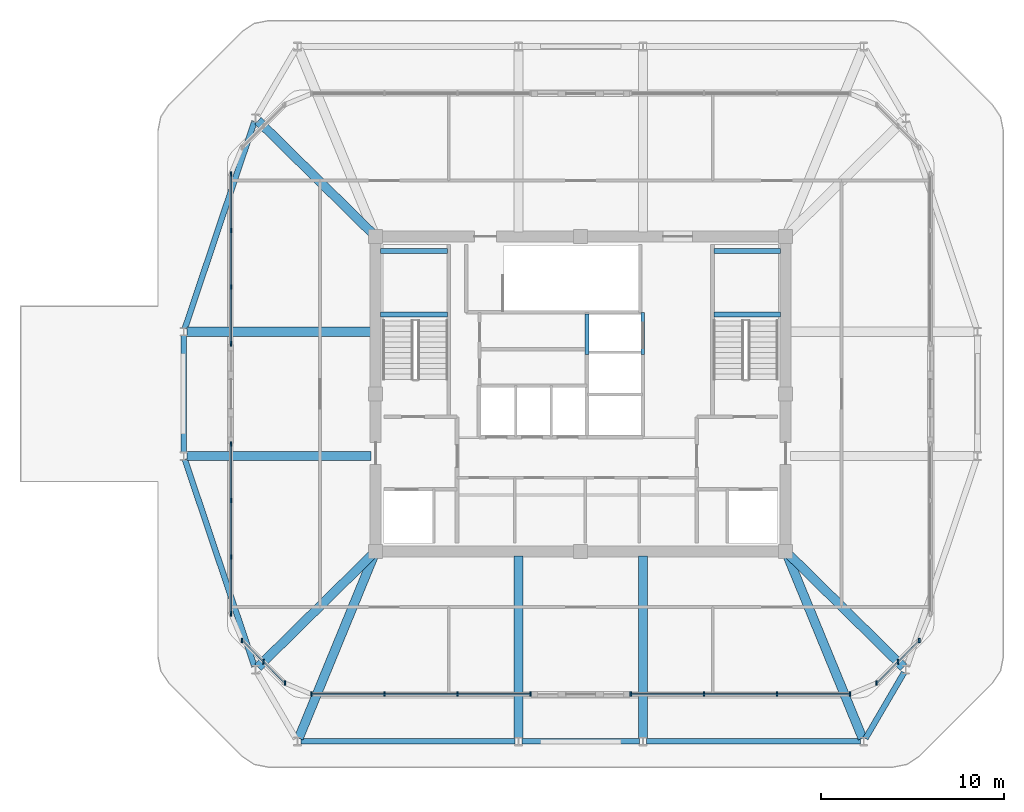
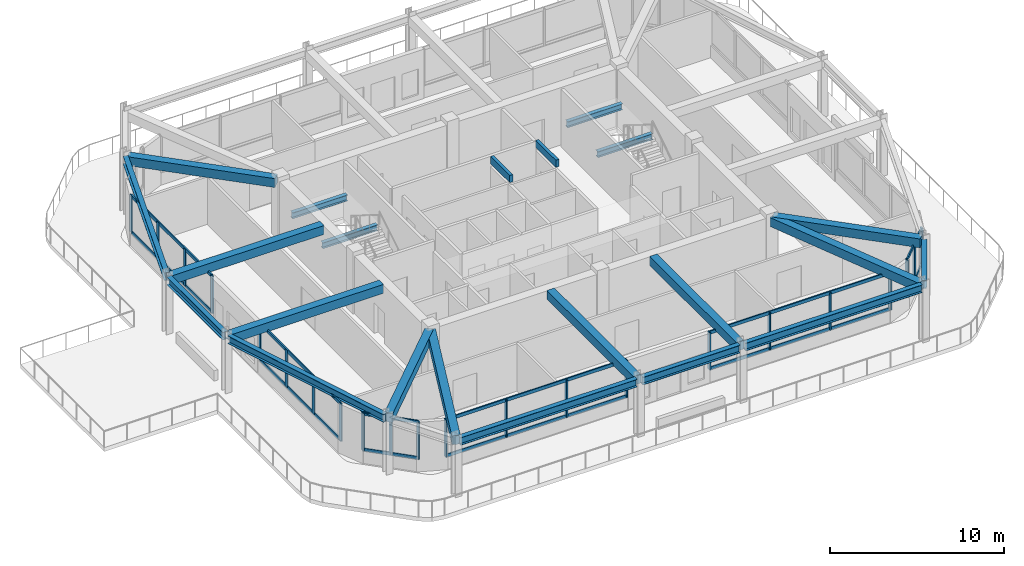
# One storey, part 2 of 10: 34 members, 22 beams, 6 elements without a shape of their own.
"""IFC4 building model written with IfcOpenShell, lengths in metres."""

from ifc_helpers import new_model, si_unit, derived_unit, direction, frame, origin, origin_2d, place, context, subcontext, project, spatial, rectangle, i_section, extrude, material, material_profile, profile_set, type_object, element, aggregate, save


model = new_model("IFC4")

# Units and contexts
model_context = context("Model", 3, precision=1e-05, world=origin(), true_north=direction((0.0, 1.0)))
body_context = subcontext(model_context, "Body", "Model", "MODEL_VIEW")
ifc_project = project(units=[si_unit("LENGTHUNIT", "METRE"), si_unit("AREAUNIT", "SQUARE_METRE"), si_unit("VOLUMEUNIT", "CUBIC_METRE"), si_unit("PLANEANGLEUNIT", "RADIAN"), si_unit("MASSUNIT", "GRAM", prefix="KILO"), derived_unit("THERMALTRANSMITTANCEUNIT", [(si_unit("POWERUNIT", "WATT"), 1), (si_unit("LENGTHUNIT", "METRE"), -2), (si_unit("THERMODYNAMICTEMPERATUREUNIT", "KELVIN"), -1)])], contexts=[model_context])

# Site, building, storey
site_placement = place(None, origin())
site = spatial("IfcSite", under=ifc_project, at=site_placement, CompositionType="ELEMENT")
building_placement = place(site_placement, origin())
building = spatial("IfcBuilding", under=site, at=building_placement, Name="Koralith Skygarden Medical Center", CompositionType="ELEMENT")
storey_placement = place(building_placement, frame((0.0, 0.0, 294.659912109375)))
storey = spatial("IfcBuildingStorey", under=building, at=storey_placement, Name="L76", CompositionType="ELEMENT", Elevation=294.659912109375)

# Curtain wall, members
ifc_material_1 = material(Name="Clear Laminated Glass", Category="glass")
curtain_wall_type = type_object("IfcCurtainWallType", Name="CW-8 Crown Lookout Low-Iron Curtain Wall", PredefinedType="NOTDEFINED", material=ifc_material_1)
curtain_wall_1_placement = place(storey_placement, origin())
curtain_wall_1 = element("IfcCurtainWall", 1, at=curtain_wall_1_placement, inside=storey, type_object=curtain_wall_type, Name="Curtain Wall CW-L76-S-L", PredefinedType="NOTDEFINED")
ifc_material_2 = material(Name="Aluminium 6063-T6", Category="aluminium")
ifc_material_profile_1 = material_profile(ifc_material_2, rectangle(XDim=0.089111328125, YDim=0.25, at=origin_2d()), Name="MUL89X250")
ifc_profile_set_1 = profile_set([ifc_material_profile_1], Name="Aluminium 6063-T6")
member_type_1 = type_object("IfcMemberType", Name="CW-8 Extruded Mullion 89x250", PredefinedType="MULLION", material=ifc_profile_set_1)
member_1_placement = place(storey_placement, frame((22.29296875, 9.5, 0.85009765625), z_axis=(0.0, 0.0, 1.0), x_axis=(1.0, 0.0, 0.0)))
member_1 = element("IfcMember", 2, at=member_1_placement, type_object=member_type_1, Name="CW-L76-S-L Mullion 1", PredefinedType="MULLION", context=body_context, shape_type="SweptSolid", body=[
    extrude(rectangle(XDim=0.089111328125, YDim=0.25, at=origin_2d()), origin(), (0.0, 0.0, 1.0), 2.610107421875),
])
member_2_placement = place(storey_placement, frame((26.281982421875, 9.5, 0.85009765625), z_axis=(0.0, 0.0, 1.0), x_axis=(1.0, 0.0, 0.0)))
member_2 = element("IfcMember", 3, at=member_2_placement, type_object=member_type_1, Name="CW-L76-S-L Mullion 2", PredefinedType="MULLION", context=body_context, shape_type="SweptSolid", body=[
    extrude(rectangle(XDim=0.089111328125, YDim=0.25, at=origin_2d()), origin(), (0.0, 0.0, 1.0), 2.610107421875),
])
member_3_placement = place(storey_placement, frame((30.27099609375, 9.5, 0.85009765625), z_axis=(0.0, 0.0, 1.0), x_axis=(1.0, 0.0, 0.0)))
member_3 = element("IfcMember", 4, at=member_3_placement, type_object=member_type_1, Name="CW-L76-S-L Mullion 3", PredefinedType="MULLION", context=body_context, shape_type="SweptSolid", body=[
    extrude(rectangle(XDim=0.089111328125, YDim=0.25, at=origin_2d()), origin(), (0.0, 0.0, 1.0), 2.610107421875),
])
member_4_placement = place(storey_placement, frame((34.260009765625, 9.5, 0.85009765625), z_axis=(0.0, 0.0, 1.0), x_axis=(1.0, 0.0, 0.0)))
member_4 = element("IfcMember", 5, at=member_4_placement, type_object=member_type_1, Name="CW-L76-S-L Mullion 4", PredefinedType="MULLION", context=body_context, shape_type="SweptSolid", body=[
    extrude(rectangle(XDim=0.089111328125, YDim=0.25, at=origin_2d()), origin(), (0.0, 0.0, 1.0), 2.610107421875),
])

curtain_wall_2_placement = place(storey_placement, origin())
curtain_wall_2 = element("IfcCurtainWall", 6, at=curtain_wall_2_placement, inside=storey, type_object=curtain_wall_type, Name="Curtain Wall CW-L76-S-R", PredefinedType="NOTDEFINED")
member_5_placement = place(storey_placement, frame((39.739990234375, 9.5, 0.85009765625), z_axis=(0.0, 0.0, 1.0), x_axis=(1.0, 0.0, 0.0)))
member_5 = element("IfcMember", 7, at=member_5_placement, type_object=member_type_1, Name="CW-L76-S-R Mullion 1", PredefinedType="MULLION", context=body_context, shape_type="SweptSolid", body=[
    extrude(rectangle(XDim=0.089111328125, YDim=0.25, at=origin_2d()), origin(), (0.0, 0.0, 1.0), 2.610107421875),
])
member_6_placement = place(storey_placement, frame((43.72900390625, 9.5, 0.85009765625), z_axis=(0.0, 0.0, 1.0), x_axis=(1.0, 0.0, 0.0)))
member_6 = element("IfcMember", 8, at=member_6_placement, type_object=member_type_1, Name="CW-L76-S-R Mullion 2", PredefinedType="MULLION", context=body_context, shape_type="SweptSolid", body=[
    extrude(rectangle(XDim=0.089111328125, YDim=0.25, at=origin_2d()), origin(), (0.0, 0.0, 1.0), 2.610107421875),
])
member_7_placement = place(storey_placement, frame((47.718017578125, 9.5, 0.85009765625), z_axis=(0.0, 0.0, 1.0), x_axis=(1.0, 0.0, 0.0)))
member_7 = element("IfcMember", 9, at=member_7_placement, type_object=member_type_1, Name="CW-L76-S-R Mullion 3", PredefinedType="MULLION", context=body_context, shape_type="SweptSolid", body=[
    extrude(rectangle(XDim=0.089111328125, YDim=0.25, at=origin_2d()), origin(), (0.0, 0.0, 1.0), 2.610107421875),
])
member_8_placement = place(storey_placement, frame((51.70703125, 9.5, 0.85009765625), z_axis=(0.0, 0.0, 1.0), x_axis=(1.0, 0.0, 0.0)))
member_8 = element("IfcMember", 10, at=member_8_placement, type_object=member_type_1, Name="CW-L76-S-R Mullion 4", PredefinedType="MULLION", context=body_context, shape_type="SweptSolid", body=[
    extrude(rectangle(XDim=0.089111328125, YDim=0.25, at=origin_2d()), origin(), (0.0, 0.0, 1.0), 2.610107421875),
])

curtain_wall_3_placement = place(storey_placement, origin())
curtain_wall_3 = element("IfcCurtainWall", 11, at=curtain_wall_3_placement, inside=storey, type_object=curtain_wall_type, Name="Curtain Wall CW-L76-SE", PredefinedType="NOTDEFINED")
member_9_placement = place(storey_placement, frame((53.157958984375, 10.10107421875, 0.85009765625), z_axis=(0.0, 0.0, 1.0), x_axis=(1.0, 0.0, 0.0)))
member_9 = element("IfcMember", 12, at=member_9_placement, type_object=member_type_1, Name="CW-L76-SE Mullion 1", PredefinedType="MULLION", context=body_context, shape_type="SweptSolid", body=[
    extrude(rectangle(XDim=0.089111328125, YDim=0.25, at=origin_2d()), origin(), (0.0, 0.0, 1.0), 2.610107421875),
])
member_10_placement = place(storey_placement, frame((54.3291015625, 11.27099609375, 0.85009765625), z_axis=(0.0, 0.0, 1.0), x_axis=(1.0, 0.0, 0.0)))
member_10 = element("IfcMember", 13, at=member_10_placement, type_object=member_type_1, Name="CW-L76-SE Mullion 2", PredefinedType="MULLION", context=body_context, shape_type="SweptSolid", body=[
    extrude(rectangle(XDim=0.089111328125, YDim=0.25, at=origin_2d()), origin(), (0.0, 0.0, 1.0), 2.610107421875),
])
member_11_placement = place(storey_placement, frame((55.4990234375, 12.44189453125, 0.85009765625), z_axis=(0.0, 0.0, 1.0), x_axis=(1.0, 0.0, 0.0)))
member_11 = element("IfcMember", 14, at=member_11_placement, type_object=member_type_1, Name="CW-L76-SE Mullion 3", PredefinedType="MULLION", context=body_context, shape_type="SweptSolid", body=[
    extrude(rectangle(XDim=0.089111328125, YDim=0.25, at=origin_2d()), origin(), (0.0, 0.0, 1.0), 2.610107421875),
])

curtain_wall_4_placement = place(storey_placement, origin())
curtain_wall_4 = element("IfcCurtainWall", 15, at=curtain_wall_4_placement, inside=storey, type_object=curtain_wall_type, Name="Curtain Wall CW-L76-W-L", PredefinedType="NOTDEFINED")
member_12_placement = place(storey_placement, frame((17.89990234375, 37.906982421875, 0.85009765625), z_axis=(0.0, 0.0, 1.0), x_axis=(1.0, 0.0, 0.0)))
member_12 = element("IfcMember", 16, at=member_12_placement, type_object=member_type_1, Name="CW-L76-W-L Mullion 1", PredefinedType="MULLION", context=body_context, shape_type="SweptSolid", body=[
    extrude(rectangle(XDim=0.089111328125, YDim=0.25, at=origin_2d()), origin(), (0.0, 0.0, 1.0), 2.610107421875),
])
member_13_placement = place(storey_placement, frame((17.89990234375, 34.818115234375, 0.85009765625), z_axis=(0.0, 0.0, 1.0), x_axis=(1.0, 0.0, 0.0)))
member_13 = element("IfcMember", 17, at=member_13_placement, type_object=member_type_1, Name="CW-L76-W-L Mullion 2", PredefinedType="MULLION", context=body_context, shape_type="SweptSolid", body=[
    extrude(rectangle(XDim=0.089111328125, YDim=0.25, at=origin_2d()), origin(), (0.0, 0.0, 1.0), 2.610107421875),
])
member_14_placement = place(storey_placement, frame((17.89990234375, 31.72900390625, 0.85009765625), z_axis=(0.0, 0.0, 1.0), x_axis=(1.0, 0.0, 0.0)))
member_14 = element("IfcMember", 18, at=member_14_placement, type_object=member_type_1, Name="CW-L76-W-L Mullion 3", PredefinedType="MULLION", context=body_context, shape_type="SweptSolid", body=[
    extrude(rectangle(XDim=0.089111328125, YDim=0.25, at=origin_2d()), origin(), (0.0, 0.0, 1.0), 2.610107421875),
])
member_15_placement = place(storey_placement, frame((17.89990234375, 28.639892578125, 0.85009765625), z_axis=(0.0, 0.0, 1.0), x_axis=(1.0, 0.0, 0.0)))
member_15 = element("IfcMember", 19, at=member_15_placement, type_object=member_type_1, Name="CW-L76-W-L Mullion 4", PredefinedType="MULLION", context=body_context, shape_type="SweptSolid", body=[
    extrude(rectangle(XDim=0.089111328125, YDim=0.25, at=origin_2d()), origin(), (0.0, 0.0, 1.0), 2.610107421875),
])

curtain_wall_5_placement = place(storey_placement, origin())
curtain_wall_5 = element("IfcCurtainWall", 20, at=curtain_wall_5_placement, inside=storey, type_object=curtain_wall_type, Name="Curtain Wall CW-L76-W-R", PredefinedType="NOTDEFINED")
member_16_placement = place(storey_placement, frame((17.89990234375, 23.159912109375, 0.85009765625), z_axis=(0.0, 0.0, 1.0), x_axis=(1.0, 0.0, 0.0)))
member_16 = element("IfcMember", 21, at=member_16_placement, type_object=member_type_1, Name="CW-L76-W-R Mullion 1", PredefinedType="MULLION", context=body_context, shape_type="SweptSolid", body=[
    extrude(rectangle(XDim=0.089111328125, YDim=0.25, at=origin_2d()), origin(), (0.0, 0.0, 1.0), 2.610107421875),
])
member_17_placement = place(storey_placement, frame((17.89990234375, 20.071044921875, 0.85009765625), z_axis=(0.0, 0.0, 1.0), x_axis=(1.0, 0.0, 0.0)))
member_17 = element("IfcMember", 22, at=member_17_placement, type_object=member_type_1, Name="CW-L76-W-R Mullion 2", PredefinedType="MULLION", context=body_context, shape_type="SweptSolid", body=[
    extrude(rectangle(XDim=0.089111328125, YDim=0.25, at=origin_2d()), origin(), (0.0, 0.0, 1.0), 2.610107421875),
])
member_18_placement = place(storey_placement, frame((17.89990234375, 16.98193359375, 0.85009765625), z_axis=(0.0, 0.0, 1.0), x_axis=(1.0, 0.0, 0.0)))
member_18 = element("IfcMember", 23, at=member_18_placement, type_object=member_type_1, Name="CW-L76-W-R Mullion 3", PredefinedType="MULLION", context=body_context, shape_type="SweptSolid", body=[
    extrude(rectangle(XDim=0.089111328125, YDim=0.25, at=origin_2d()), origin(), (0.0, 0.0, 1.0), 2.610107421875),
])
member_19_placement = place(storey_placement, frame((17.89990234375, 13.89306640625, 0.85009765625), z_axis=(0.0, 0.0, 1.0), x_axis=(1.0, 0.0, 0.0)))
member_19 = element("IfcMember", 24, at=member_19_placement, type_object=member_type_1, Name="CW-L76-W-R Mullion 4", PredefinedType="MULLION", context=body_context, shape_type="SweptSolid", body=[
    extrude(rectangle(XDim=0.089111328125, YDim=0.25, at=origin_2d()), origin(), (0.0, 0.0, 1.0), 2.610107421875),
])

curtain_wall_6_placement = place(storey_placement, origin())
curtain_wall_6 = element("IfcCurtainWall", 25, at=curtain_wall_6_placement, inside=storey, type_object=curtain_wall_type, Name="Curtain Wall CW-L76-SW", PredefinedType="NOTDEFINED")
member_20_placement = place(storey_placement, frame((18.5009765625, 12.44189453125, 0.85009765625), z_axis=(0.0, 0.0, 1.0), x_axis=(1.0, 0.0, 0.0)))
member_20 = element("IfcMember", 26, at=member_20_placement, type_object=member_type_1, Name="CW-L76-SW Mullion 1", PredefinedType="MULLION", context=body_context, shape_type="SweptSolid", body=[
    extrude(rectangle(XDim=0.089111328125, YDim=0.25, at=origin_2d()), origin(), (0.0, 0.0, 1.0), 2.610107421875),
])
member_21_placement = place(storey_placement, frame((19.672119140625, 11.27099609375, 0.85009765625), z_axis=(0.0, 0.0, 1.0), x_axis=(1.0, 0.0, 0.0)))
member_21 = element("IfcMember", 27, at=member_21_placement, type_object=member_type_1, Name="CW-L76-SW Mullion 2", PredefinedType="MULLION", context=body_context, shape_type="SweptSolid", body=[
    extrude(rectangle(XDim=0.089111328125, YDim=0.25, at=origin_2d()), origin(), (0.0, 0.0, 1.0), 2.610107421875),
])
member_22_placement = place(storey_placement, frame((20.842041015625, 10.10107421875, 0.85009765625), z_axis=(0.0, 0.0, 1.0), x_axis=(1.0, 0.0, 0.0)))
member_22 = element("IfcMember", 28, at=member_22_placement, type_object=member_type_1, Name="CW-L76-SW Mullion 3", PredefinedType="MULLION", context=body_context, shape_type="SweptSolid", body=[
    extrude(rectangle(XDim=0.089111328125, YDim=0.25, at=origin_2d()), origin(), (0.0, 0.0, 1.0), 2.610107421875),
])

# Member
ifc_material_profile_2 = material_profile(ifc_material_2, rectangle(XDim=0.083984375, YDim=0.22509765625, at=origin_2d()), Name="TRN84X225")
ifc_profile_set_2 = profile_set([ifc_material_profile_2], Name="Aluminium 6063-T6")
member_type_2 = type_object("IfcMemberType", Name="CW-8 Thermal Transom 84x225", PredefinedType="USERDEFINED", material=ifc_profile_set_2)
member_23_placement = place(storey_placement, frame((22.29296875, 9.5, 0.900146484375), z_axis=(1.0, 0.0, 0.0), x_axis=(0.0, 1.0, 0.0)))
member_23 = element("IfcMember", 29, at=member_23_placement, type_object=member_type_2, Name="CW-L76-S-L Transom 1", ObjectType="TRANSOM", PredefinedType="USERDEFINED", context=body_context, shape_type="SweptSolid", body=[
    extrude(rectangle(XDim=0.083984375, YDim=0.22509765625, at=origin_2d()), origin(), (0.0, 0.0, 1.0), 11.967041015625),
])

member_24_placement = place(storey_placement, frame((22.29296875, 9.5, 3.41015625), z_axis=(1.0, 0.0, 0.0), x_axis=(0.0, 1.0, 0.0)))
member_24 = element("IfcMember", 30, at=member_24_placement, type_object=member_type_2, Name="CW-L76-S-L Transom 2", ObjectType="TRANSOM", PredefinedType="USERDEFINED", context=body_context, shape_type="SweptSolid", body=[
    extrude(rectangle(XDim=0.083984375, YDim=0.22509765625, at=origin_2d()), origin(), (0.0, 0.0, 1.0), 11.967041015625),
])

aggregate(curtain_wall_1, [member_1, member_2, member_3, member_4, member_23, member_24])

member_25_placement = place(storey_placement, frame((39.739990234375, 9.5, 0.900146484375), z_axis=(1.0, 0.0, 0.0), x_axis=(0.0, 1.0, 0.0)))
member_25 = element("IfcMember", 31, at=member_25_placement, type_object=member_type_2, Name="CW-L76-S-R Transom 1", ObjectType="TRANSOM", PredefinedType="USERDEFINED", context=body_context, shape_type="SweptSolid", body=[
    extrude(rectangle(XDim=0.083984375, YDim=0.22509765625, at=origin_2d()), origin(), (0.0, 0.0, 1.0), 11.967041015625),
])

member_26_placement = place(storey_placement, frame((39.739990234375, 9.5, 3.41015625), z_axis=(1.0, 0.0, 0.0), x_axis=(0.0, 1.0, 0.0)))
member_26 = element("IfcMember", 32, at=member_26_placement, type_object=member_type_2, Name="CW-L76-S-R Transom 2", ObjectType="TRANSOM", PredefinedType="USERDEFINED", context=body_context, shape_type="SweptSolid", body=[
    extrude(rectangle(XDim=0.083984375, YDim=0.22509765625, at=origin_2d()), origin(), (0.0, 0.0, 1.0), 11.967041015625),
])

aggregate(curtain_wall_2, [member_5, member_6, member_7, member_8, member_25, member_26])

member_27_placement = place(storey_placement, frame((53.157958984375, 10.10107421875, 0.900146484375), z_axis=(0.707143652874, 0.707069907577, 0.0), x_axis=(-0.707069907577, 0.707143652874, 0.0)))
member_27 = element("IfcMember", 33, at=member_27_placement, type_object=member_type_2, Name="CW-L76-SE Transom 1", ObjectType="TRANSOM", PredefinedType="USERDEFINED", context=body_context, shape_type="SweptSolid", body=[
    extrude(rectangle(XDim=0.083984375, YDim=0.22509765625, at=origin_2d()), origin(), (0.0, 0.0, 1.0), 3.310546875),
])

member_28_placement = place(storey_placement, frame((53.157958984375, 10.10107421875, 3.41015625), z_axis=(0.707143652874, 0.707069907577, 0.0), x_axis=(-0.707069907577, 0.707143652874, 0.0)))
member_28 = element("IfcMember", 34, at=member_28_placement, type_object=member_type_2, Name="CW-L76-SE Transom 2", ObjectType="TRANSOM", PredefinedType="USERDEFINED", context=body_context, shape_type="SweptSolid", body=[
    extrude(rectangle(XDim=0.083984375, YDim=0.22509765625, at=origin_2d()), origin(), (0.0, 0.0, 1.0), 3.310546875),
])

aggregate(curtain_wall_3, [member_9, member_10, member_11, member_27, member_28])

member_29_placement = place(storey_placement, frame((17.89990234375, 37.906982421875, 0.900146484375), z_axis=(0.0, -1.0, 0.0), x_axis=(1.0, 0.0, 0.0)))
member_29 = element("IfcMember", 35, at=member_29_placement, type_object=member_type_2, Name="CW-L76-W-L Transom 1", ObjectType="TRANSOM", PredefinedType="USERDEFINED", context=body_context, shape_type="SweptSolid", body=[
    extrude(rectangle(XDim=0.083984375, YDim=0.22509765625, at=origin_2d()), origin(), (0.0, 0.0, 1.0), 9.26708984375),
])

member_30_placement = place(storey_placement, frame((17.89990234375, 37.906982421875, 3.41015625), z_axis=(0.0, -1.0, 0.0), x_axis=(1.0, 0.0, 0.0)))
member_30 = element("IfcMember", 36, at=member_30_placement, type_object=member_type_2, Name="CW-L76-W-L Transom 2", ObjectType="TRANSOM", PredefinedType="USERDEFINED", context=body_context, shape_type="SweptSolid", body=[
    extrude(rectangle(XDim=0.083984375, YDim=0.22509765625, at=origin_2d()), origin(), (0.0, 0.0, 1.0), 9.26708984375),
])

aggregate(curtain_wall_4, [member_12, member_13, member_14, member_15, member_29, member_30])

member_31_placement = place(storey_placement, frame((17.89990234375, 23.159912109375, 0.900146484375), z_axis=(0.0, -1.0, 0.0), x_axis=(1.0, 0.0, 0.0)))
member_31 = element("IfcMember", 37, at=member_31_placement, type_object=member_type_2, Name="CW-L76-W-R Transom 1", ObjectType="TRANSOM", PredefinedType="USERDEFINED", context=body_context, shape_type="SweptSolid", body=[
    extrude(rectangle(XDim=0.083984375, YDim=0.22509765625, at=origin_2d()), origin(), (0.0, 0.0, 1.0), 9.266845703125),
])

member_32_placement = place(storey_placement, frame((17.89990234375, 23.159912109375, 3.41015625), z_axis=(0.0, -1.0, 0.0), x_axis=(1.0, 0.0, 0.0)))
member_32 = element("IfcMember", 38, at=member_32_placement, type_object=member_type_2, Name="CW-L76-W-R Transom 2", ObjectType="TRANSOM", PredefinedType="USERDEFINED", context=body_context, shape_type="SweptSolid", body=[
    extrude(rectangle(XDim=0.083984375, YDim=0.22509765625, at=origin_2d()), origin(), (0.0, 0.0, 1.0), 9.266845703125),
])

aggregate(curtain_wall_5, [member_16, member_17, member_18, member_19, member_31, member_32])

member_33_placement = place(storey_placement, frame((18.5009765625, 12.44189453125, 0.900146484375), z_axis=(0.707143652874, -0.707069907577, 0.0), x_axis=(0.707069907577, 0.707143652874, 0.0)))
member_33 = element("IfcMember", 39, at=member_33_placement, type_object=member_type_2, Name="CW-L76-SW Transom 1", ObjectType="TRANSOM", PredefinedType="USERDEFINED", context=body_context, shape_type="SweptSolid", body=[
    extrude(rectangle(XDim=0.083984375, YDim=0.22509765625, at=origin_2d()), origin(), (0.0, 0.0, 1.0), 3.310546875),
])

member_34_placement = place(storey_placement, frame((18.5009765625, 12.44189453125, 3.41015625), z_axis=(0.707143652874, -0.707069907577, 0.0), x_axis=(0.707069907577, 0.707143652874, 0.0)))
member_34 = element("IfcMember", 40, at=member_34_placement, type_object=member_type_2, Name="CW-L76-SW Transom 2", ObjectType="TRANSOM", PredefinedType="USERDEFINED", context=body_context, shape_type="SweptSolid", body=[
    extrude(rectangle(XDim=0.083984375, YDim=0.22509765625, at=origin_2d()), origin(), (0.0, 0.0, 1.0), 3.310546875),
])

aggregate(curtain_wall_6, [member_20, member_21, member_22, member_33, member_34])

# Beams
ifc_material_3 = material(Name="Steel ASTM A992 Grade 50", Category="steel")
ifc_material_profile_3 = material_profile(ifc_material_3, i_section(OverallWidth=0.31201171875, OverallDepth=0.54296875, WebThickness=0.0126953125, FlangeThickness=0.020263671875, at=origin_2d()), Name="W21X101")
ifc_profile_set_3 = profile_set([ifc_material_profile_3], Name="Steel ASTM A992 Grade 50")
beam_type_1 = type_object("IfcBeamType", Name="Canopy Ring Beam W21X101", PredefinedType="SPANDREL", material=ifc_profile_set_3)
beam_1_placement = place(storey_placement, frame((15.37890625, 22.324951171875, 3.7490234375), z_axis=(0.318639095106, -0.947876113778, 0.0), x_axis=(0.947876113778, 0.318639095106, 0.0)))
element("IfcBeam", 41, at=beam_1_placement, inside=storey, type_object=beam_type_1, Name="L76 Perimeter Spandrel Beam SP-01", PredefinedType="SPANDREL", context=body_context, shape_type="SweptSolid", body=[
    extrude(i_section(OverallWidth=0.31201171875, OverallDepth=0.54296875, WebThickness=0.0126953125, FlangeThickness=0.020263671875, at=origin_2d()), origin(), (0.0, 0.0, 1.0), 11.931884765625),
])
beam_2_placement = place(storey_placement, frame((21.717041015625, 6.919921875, 3.7490234375), z_axis=(1.0, 0.0, 0.0), x_axis=(0.0, 1.0, 0.0)))
element("IfcBeam", 42, at=beam_2_placement, inside=storey, type_object=beam_type_1, Name="L76 Perimeter Spandrel Beam SP-03", PredefinedType="SPANDREL", context=body_context, shape_type="SweptSolid", body=[
    extrude(i_section(OverallWidth=0.31201171875, OverallDepth=0.54296875, WebThickness=0.0126953125, FlangeThickness=0.020263671875, at=origin_2d()), origin(), (0.0, 0.0, 1.0), 11.697998046875),
])
beam_3_placement = place(storey_placement, frame((33.784912109375, 6.919921875, 3.7490234375), z_axis=(1.0, 0.0, 0.0), x_axis=(0.0, 1.0, 0.0)))
element("IfcBeam", 43, at=beam_3_placement, inside=storey, type_object=beam_type_1, Name="L76 Perimeter Spandrel Beam SP-04", PredefinedType="SPANDREL", context=body_context, shape_type="SweptSolid", body=[
    extrude(i_section(OverallWidth=0.31201171875, OverallDepth=0.54296875, WebThickness=0.0126953125, FlangeThickness=0.020263671875, at=origin_2d()), origin(), (0.0, 0.0, 1.0), 6.43017578125),
])
beam_4_placement = place(storey_placement, frame((40.5849609375, 6.919921875, 3.7490234375), z_axis=(1.0, 0.0, 0.0), x_axis=(0.0, 1.0, 0.0)))
element("IfcBeam", 44, at=beam_4_placement, inside=storey, type_object=beam_type_1, Name="L76 Perimeter Spandrel Beam SP-05", PredefinedType="SPANDREL", context=body_context, shape_type="SweptSolid", body=[
    extrude(i_section(OverallWidth=0.31201171875, OverallDepth=0.54296875, WebThickness=0.0126953125, FlangeThickness=0.020263671875, at=origin_2d()), origin(), (0.0, 0.0, 1.0), 11.697998046875),
])
beam_5_placement = place(storey_placement, frame((52.56103515625, 7.080078125, 3.7490234375), z_axis=(0.504951618525, 0.863147648406, 0.0), x_axis=(-0.863147648406, 0.504951618525, 0.0)))
element("IfcBeam", 45, at=beam_5_placement, inside=storey, type_object=beam_type_1, Name="L76 Perimeter Spandrel Beam SP-06", PredefinedType="SPANDREL", context=body_context, shape_type="SweptSolid", body=[
    extrude(i_section(OverallWidth=0.31201171875, OverallDepth=0.54296875, WebThickness=0.0126953125, FlangeThickness=0.020263671875, at=origin_2d()), origin(), (0.0, 0.0, 1.0), 4.170654296875),
])
beam_6_placement = place(storey_placement, frame((19.180908203125, 40.784912109375, 3.7490234375), z_axis=(-0.318645275061, -0.947874036294, 0.0), x_axis=(0.947874036294, -0.318645275061, 0.0)))
element("IfcBeam", 46, at=beam_6_placement, inside=storey, type_object=beam_type_1, Name="L76 Perimeter Spandrel Beam SP-15", PredefinedType="SPANDREL", context=body_context, shape_type="SweptSolid", body=[
    extrude(i_section(OverallWidth=0.31201171875, OverallDepth=0.54296875, WebThickness=0.0126953125, FlangeThickness=0.020263671875, at=origin_2d()), origin(), (0.0, 0.0, 1.0), 11.931884765625),
])
beam_7_placement = place(storey_placement, frame((15.320068359375, 29.114990234375, 3.7490234375), z_axis=(0.0, -1.0, 0.0), x_axis=(1.0, 0.0, 0.0)))
element("IfcBeam", 47, at=beam_7_placement, inside=storey, type_object=beam_type_1, Name="L76 Perimeter Spandrel Beam SP-16", PredefinedType="SPANDREL", context=body_context, shape_type="SweptSolid", body=[
    extrude(i_section(OverallWidth=0.31201171875, OverallDepth=0.54296875, WebThickness=0.0126953125, FlangeThickness=0.020263671875, at=origin_2d()), origin(), (0.0, 0.0, 1.0), 6.429931640625),
])
ifc_material_profile_4 = material_profile(ifc_material_3, i_section(OverallWidth=0.260009765625, OverallDepth=0.4150390625, WebThickness=0.010009765625, FlangeThickness=0.016845703125, at=origin_2d()), Name="W16X67")
ifc_profile_set_4 = profile_set([ifc_material_profile_4], Name="Steel ASTM A992 Grade 50")
beam_type_2 = type_object("IfcBeamType", Name="Clinical Floor Joist W16X67", PredefinedType="JOIST", material=ifc_profile_set_4)
for number, where, z_axis, x_axis, name in (
    (48, (26.080078125, 30.239990234375, 1.753173828125), (1.0, 0.0, 0.0), (0.0, 1.0, 0.0), "L76 Stair ST1 Half-Landing Support Beam 1A"),
    (49, (26.080078125, 33.699951171875, 1.753173828125), (1.0, 0.0, 0.0), (0.0, 1.0, 0.0), "L76 Stair ST1 Half-Landing Support Beam 1B"),
    (50, (44.280029296875, 30.239990234375, 1.753173828125), (1.0, 0.0, 0.0), (0.0, 1.0, 0.0), "L76 Stair ST2 Half-Landing Support Beam 1A"),
    (51, (44.280029296875, 33.699951171875, 1.753173828125), (1.0, 0.0, 0.0), (0.0, 1.0, 0.0), "L76 Stair ST2 Half-Landing Support Beam 1B"),
):
    element("IfcBeam", number, at=place(storey_placement, frame(where, z_axis=z_axis, x_axis=x_axis)), inside=storey, type_object=beam_type_2, Name=name, PredefinedType="JOIST", context=body_context, shape_type="SweptSolid", body=[
        extrude(i_section(OverallWidth=0.260009765625, OverallDepth=0.4150390625, WebThickness=0.010009765625, FlangeThickness=0.016845703125, at=origin_2d()), origin(), (0.0, 0.0, 1.0), 3.639892578125),
    ])
ifc_material_4 = material(Name="Concrete C45/55", Category="concrete")
ifc_material_profile_5 = material_profile(ifc_material_4, rectangle(XDim=0.199951171875, YDim=0.5, at=origin_2d()), Name="RCB200X500")
ifc_profile_set_5 = profile_set([ifc_material_profile_5], Name="Concrete C45/55")
beam_type_3 = type_object("IfcBeamType", Name="Lift Penthouse Bracket Beam RCB200X500", PredefinedType="BEAM", material=ifc_profile_set_5)
beam_8_placement = place(storey_placement, frame((37.35009765625, 28.050048828125, 3.77001953125), z_axis=(0.0, 1.0, 0.0), x_axis=(-1.0, 0.0, 0.0)))
element("IfcBeam", 52, at=beam_8_placement, inside=storey, type_object=beam_type_3, Name="L76 Lift Penthouse Bracket Beam PB-W", PredefinedType="BEAM", context=body_context, shape_type="SweptSolid", body=[
    extrude(rectangle(XDim=0.199951171875, YDim=0.5, at=origin_2d()), origin(), (0.0, 0.0, 1.0), 2.2099609375),
])
beam_9_placement = place(storey_placement, frame((40.39990234375, 28.050048828125, 3.77001953125), z_axis=(0.0, 1.0, 0.0), x_axis=(-1.0, 0.0, 0.0)))
element("IfcBeam", 53, at=beam_9_placement, inside=storey, type_object=beam_type_3, Name="L76 Lift Penthouse Bracket Beam PB-E", PredefinedType="BEAM", context=body_context, shape_type="SweptSolid", body=[
    extrude(rectangle(XDim=0.199951171875, YDim=0.5, at=origin_2d()), origin(), (0.0, 0.0, 1.0), 2.31005859375),
])
ifc_material_profile_6 = material_profile(ifc_material_4, rectangle(XDim=0.5, YDim=0.6201171875, at=origin_2d()), Name="RCB500X620")
ifc_profile_set_6 = profile_set([ifc_material_profile_6], Name="Concrete C45/55")
beam_type_4 = type_object("IfcBeamType", Name="Upper Radial Collector Beam RCB500X620", PredefinedType="BEAM", material=ifc_profile_set_6)
beam_10_placement = place(storey_placement, frame((25.550048828125, 22.5, 3.710205078125), z_axis=(-1.0, 0.0, 0.0), x_axis=(0.0, -1.0, 0.0)))
element("IfcBeam", 54, at=beam_10_placement, inside=storey, type_object=beam_type_4, Name="L76 Radial Collector Beam RB-01", PredefinedType="BEAM", context=body_context, shape_type="SweptSolid", body=[
    extrude(rectangle(XDim=0.5, YDim=0.6201171875, at=origin_2d()), origin(), (0.0, 0.0, 1.0), 10.045166015625),
])
beam_11_placement = place(storey_placement, frame((25.6220703125, 17.125, 3.710205078125), z_axis=(-0.712499385168, -0.701672734354, 0.0), x_axis=(0.701672734354, -0.712499385168, 0.0)))
element("IfcBeam", 55, at=beam_11_placement, inside=storey, type_object=beam_type_4, Name="L76 Radial Collector Beam RB-02", PredefinedType="BEAM", context=body_context, shape_type="SweptSolid", body=[
    extrude(rectangle(XDim=0.5, YDim=0.6201171875, at=origin_2d()), origin(), (0.0, 0.0, 1.0), 8.77197265625),
])
beam_12_placement = place(storey_placement, frame((25.705078125, 17.069091796875, 3.710205078125), z_axis=(-0.380308155568, -0.924859830898, 0.0), x_axis=(0.924859830898, -0.380308155568, 0.0)))
element("IfcBeam", 56, at=beam_12_placement, inside=storey, type_object=beam_type_4, Name="L76 Radial Collector Beam RB-03", PredefinedType="BEAM", context=body_context, shape_type="SweptSolid", body=[
    extrude(rectangle(XDim=0.5, YDim=0.6201171875, at=origin_2d()), origin(), (0.0, 0.0, 1.0), 10.78857421875),
])
for number, where, z_axis, x_axis, name in (
    (57, (33.60009765625, 17.050048828125, 3.710205078125), (0.0, -1.0, 0.0), (1.0, 0.0, 0.0), "L76 Radial Collector Beam RB-04"),
    (58, (40.39990234375, 17.050048828125, 3.710205078125), (0.0, -1.0, 0.0), (1.0, 0.0, 0.0), "L76 Radial Collector Beam RB-05"),
):
    element("IfcBeam", number, at=place(storey_placement, frame(where, z_axis=z_axis, x_axis=x_axis)), inside=storey, type_object=beam_type_4, Name=name, PredefinedType="BEAM", context=body_context, shape_type="SweptSolid", body=[
        extrude(rectangle(XDim=0.5, YDim=0.6201171875, at=origin_2d()), origin(), (0.0, 0.0, 1.0), 9.945068359375),
    ])
beam_13_placement = place(storey_placement, frame((48.294921875, 17.069091796875, 3.710205078125), z_axis=(0.380308155568, -0.924859830898, 0.0), x_axis=(0.924859830898, 0.380308155568, 0.0)))
element("IfcBeam", 59, at=beam_13_placement, inside=storey, type_object=beam_type_4, Name="L76 Radial Collector Beam RB-06", PredefinedType="BEAM", context=body_context, shape_type="SweptSolid", body=[
    extrude(rectangle(XDim=0.5, YDim=0.6201171875, at=origin_2d()), origin(), (0.0, 0.0, 1.0), 10.78857421875),
])
for number, where, z_axis, x_axis, name in (
    (60, (48.3779296875, 17.125, 3.710205078125), (0.712499385168, -0.701672734354, 0.0), (0.701672734354, 0.712499385168, 0.0), "L76 Radial Collector Beam RB-07"),
    (61, (25.6220703125, 34.675048828125, 3.710205078125), (-0.712499385168, 0.701672734354, 0.0), (-0.701672734354, -0.712499385168, 0.0), "L76 Radial Collector Beam RB-15"),
):
    element("IfcBeam", number, at=place(storey_placement, frame(where, z_axis=z_axis, x_axis=x_axis)), inside=storey, type_object=beam_type_4, Name=name, PredefinedType="BEAM", context=body_context, shape_type="SweptSolid", body=[
        extrude(rectangle(XDim=0.5, YDim=0.6201171875, at=origin_2d()), origin(), (0.0, 0.0, 1.0), 8.77197265625),
    ])
beam_14_placement = place(storey_placement, frame((25.550048828125, 29.300048828125, 3.710205078125), z_axis=(-1.0, 0.0, 0.0), x_axis=(0.0, -1.0, 0.0)))
element("IfcBeam", 62, at=beam_14_placement, inside=storey, type_object=beam_type_4, Name="L76 Radial Collector Beam RB-16", PredefinedType="BEAM", context=body_context, shape_type="SweptSolid", body=[
    extrude(rectangle(XDim=0.5, YDim=0.6201171875, at=origin_2d()), origin(), (0.0, 0.0, 1.0), 10.045166015625),
])

save(model, "model.ifc")
